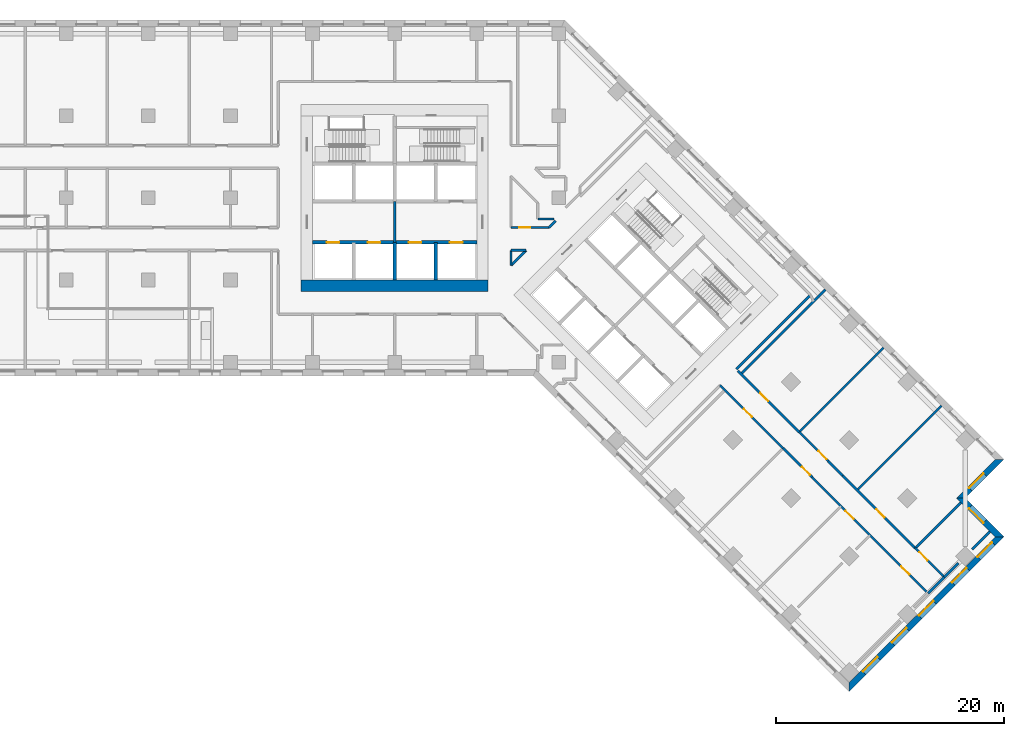
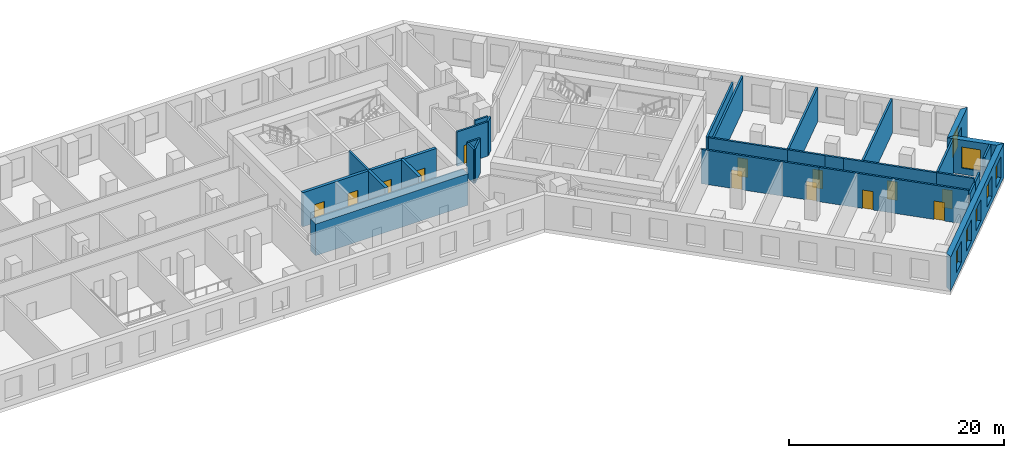
# One storey, part 7 of 12: 30 walls, 13 doors, 7 windows, 20 openings.
"""IFC4 building model written with IfcOpenShell, lengths in metres."""

from ifc_helpers import new_model, si_unit, direction, frame, frame_2d, origin, place, context, subcontext, project, spatial, polyline, rectangle, outline, extrude, material, layer, layer_set, type_object, element, fill, save


model = new_model("IFC4")

# Units and contexts
model_context = context("Model", 3, precision=1e-05, world=origin(), true_north=direction((0.0, 1.0)))
body_context = subcontext(model_context, "Body", "Model", "MODEL_VIEW")
ifc_project = project(units=[si_unit("LENGTHUNIT", "METRE"), si_unit("AREAUNIT", "SQUARE_METRE"), si_unit("VOLUMEUNIT", "CUBIC_METRE"), si_unit("PLANEANGLEUNIT", "RADIAN"), si_unit("MASSUNIT", "GRAM", prefix="KILO")], contexts=[model_context])

# Site, building, storey
site_placement = place(None, origin())
site = spatial("IfcSite", under=ifc_project, at=site_placement, CompositionType="ELEMENT")
building_placement = place(site_placement, origin())
building = spatial("IfcBuilding", under=site, at=building_placement, Name="Windrow Commons", CompositionType="ELEMENT")
storey_placement = place(building_placement, frame((0.0, 0.0, 22.8)))
storey = spatial("IfcBuildingStorey", under=building, at=storey_placement, Name="L05", CompositionType="ELEMENT", Elevation=22.8)

# Wall, openings, windows
ifc_material_1 = material(Name="Brick masonry, red clay brick", Category="masonry")
ifc_layer_1 = layer(ifc_material_1, 0.55)
ifc_layer_set_1 = layer_set([ifc_layer_1], Name="Brick facade wall 550")
wall_type_1 = type_object("IfcWallType", Name="Brick facade wall 550", PredefinedType="SOLIDWALL", material=ifc_layer_set_1)
wall_1_placement = place(storey_placement, frame((104.6558, 14.689, 0.0), z_axis=(0.0, 0.0, 1.0), x_axis=(0.7071094621, 0.7071041002, 0.0)))
wall_1 = element("IfcWall", 1, at=wall_1_placement, inside=storey, type_object=wall_type_1, Name="Brick facade wall L05 1", PredefinedType="SOLIDWALL", context=body_context, shape_type="SweptSolid", body=[
    extrude(outline(polyline([(-0.275, -0.275), (18.925, -0.275), (18.375, 0.275), (0.275, 0.275), (-0.275, -0.275)])), origin(), (0.0, 0.0, 1.0), 3.9),
])
opening_1_placement = place(wall_1_placement, frame((1.825, 0.0, 0.7)))
opening_1 = element("IfcOpeningElement", 2, at=opening_1_placement, cuts=wall_1, Name="Opening W2B", PredefinedType="OPENING", context=body_context, shape_type="SweptSolid", body=[
    extrude(rectangle(XDim=1.8, YDim=2.4, at=frame_2d((0.9, 1.2))), frame((0.0, 0.285, 0.0), z_axis=(0.0, -1.0, 0.0), x_axis=(1.0, 0.0, 0.0)), (0.0, 0.0, 1.0), 0.57),
])
opening_2_placement = place(wall_1_placement, frame((5.425, 0.0, 0.7)))
opening_2 = element("IfcOpeningElement", 3, at=opening_2_placement, cuts=wall_1, Name="Opening W2B", PredefinedType="OPENING", context=body_context, shape_type="SweptSolid", body=[
    extrude(rectangle(XDim=1.8, YDim=2.4, at=frame_2d((0.9, 1.2))), frame((0.0, 0.285, 0.0), z_axis=(0.0, -1.0, 0.0), x_axis=(1.0, 0.0, 0.0)), (0.0, 0.0, 1.0), 0.57),
])
opening_3_placement = place(wall_1_placement, frame((8.775, 0.0, 0.7)))
opening_3 = element("IfcOpeningElement", 4, at=opening_3_placement, cuts=wall_1, Name="Opening W2B", PredefinedType="OPENING", context=body_context, shape_type="SweptSolid", body=[
    extrude(rectangle(XDim=1.8, YDim=2.4, at=frame_2d((0.9, 1.2))), frame((0.0, 0.285, 0.0), z_axis=(0.0, -1.0, 0.0), x_axis=(1.0, 0.0, 0.0)), (0.0, 0.0, 1.0), 0.57),
])
opening_4_placement = place(wall_1_placement, frame((12.875, 0.0, 0.7)))
opening_4 = element("IfcOpeningElement", 5, at=opening_4_placement, cuts=wall_1, Name="Opening W2B", PredefinedType="OPENING", context=body_context, shape_type="SweptSolid", body=[
    extrude(rectangle(XDim=1.8, YDim=2.4, at=frame_2d((0.9, 1.2))), frame((0.0, 0.285, 0.0), z_axis=(0.0, -1.0, 0.0), x_axis=(1.0, 0.0, 0.0)), (0.0, 0.0, 1.0), 0.57),
])
opening_5_placement = place(wall_1_placement, frame((16.05, 0.0, 0.7)))
opening_5 = element("IfcOpeningElement", 6, at=opening_5_placement, cuts=wall_1, Name="Opening W2B", PredefinedType="OPENING", context=body_context, shape_type="SweptSolid", body=[
    extrude(rectangle(XDim=1.8, YDim=2.4, at=frame_2d((0.9, 1.2))), frame((0.0, 0.285, 0.0), z_axis=(0.0, -1.0, 0.0), x_axis=(1.0, 0.0, 0.0)), (0.0, 0.0, 1.0), 0.57),
])
ifc_material_2 = material(Name="Clear float glass in anodised aluminium frame", Category="aluminium")
window_type = type_object("IfcWindowType", Name="Window W2 podium 1800x2400", PartitioningType="SINGLE_PANEL", PredefinedType="WINDOW", material=ifc_material_2)
window_1_placement = place(opening_1_placement, origin())
window_1 = element("IfcWindow", 7, at=window_1_placement, inside=storey, type_object=window_type, Name="Window L05 1.1", OverallHeight=2.4, OverallWidth=1.8, PartitioningType="SINGLE_PANEL", PredefinedType="WINDOW", context=body_context, shape_type="SweptSolid", body=[
    extrude(rectangle(XDim=1.8, YDim=2.4, at=frame_2d((0.9, 1.2))), frame((0.0, 0.155, 0.0), z_axis=(0.0, -1.0, 0.0), x_axis=(1.0, 0.0, 0.0)), (0.0, 0.0, 1.0), 0.06),
])
fill(opening_1, window_1)
window_2_placement = place(opening_2_placement, origin())
window_2 = element("IfcWindow", 8, at=window_2_placement, inside=storey, type_object=window_type, Name="Window L05 1.2", OverallHeight=2.4, OverallWidth=1.8, PartitioningType="SINGLE_PANEL", PredefinedType="WINDOW", context=body_context, shape_type="SweptSolid", body=[
    extrude(rectangle(XDim=1.8, YDim=2.4, at=frame_2d((0.9, 1.2))), frame((0.0, 0.155, 0.0), z_axis=(0.0, -1.0, 0.0), x_axis=(1.0, 0.0, 0.0)), (0.0, 0.0, 1.0), 0.06),
])
fill(opening_2, window_2)
window_3_placement = place(opening_3_placement, origin())
window_3 = element("IfcWindow", 9, at=window_3_placement, inside=storey, type_object=window_type, Name="Window L05 1.3", OverallHeight=2.4, OverallWidth=1.8, PartitioningType="SINGLE_PANEL", PredefinedType="WINDOW", context=body_context, shape_type="SweptSolid", body=[
    extrude(rectangle(XDim=1.8, YDim=2.4, at=frame_2d((0.9, 1.2))), frame((0.0, 0.155, 0.0), z_axis=(0.0, -1.0, 0.0), x_axis=(1.0, 0.0, 0.0)), (0.0, 0.0, 1.0), 0.06),
])
fill(opening_3, window_3)
window_4_placement = place(opening_4_placement, origin())
window_4 = element("IfcWindow", 10, at=window_4_placement, inside=storey, type_object=window_type, Name="Window L05 1.4", OverallHeight=2.4, OverallWidth=1.8, PartitioningType="SINGLE_PANEL", PredefinedType="WINDOW", context=body_context, shape_type="SweptSolid", body=[
    extrude(rectangle(XDim=1.8, YDim=2.4, at=frame_2d((0.9, 1.2))), frame((0.0, 0.155, 0.0), z_axis=(0.0, -1.0, 0.0), x_axis=(1.0, 0.0, 0.0)), (0.0, 0.0, 1.0), 0.06),
])
fill(opening_4, window_4)
window_5_placement = place(opening_5_placement, origin())
window_5 = element("IfcWindow", 11, at=window_5_placement, inside=storey, type_object=window_type, Name="Window L05 1.5", OverallHeight=2.4, OverallWidth=1.8, PartitioningType="SINGLE_PANEL", PredefinedType="WINDOW", context=body_context, shape_type="SweptSolid", body=[
    extrude(rectangle(XDim=1.8, YDim=2.4, at=frame_2d((0.9, 1.2))), frame((0.0, 0.155, 0.0), z_axis=(0.0, -1.0, 0.0), x_axis=(1.0, 0.0, 0.0)), (0.0, 0.0, 1.0), 0.06),
])
fill(opening_5, window_5)

# Wall, opening, window
wall_2_placement = place(storey_placement, frame((117.8434, 27.8765, 0.0), z_axis=(0.0, 0.0, 1.0), x_axis=(-0.7071067812, 0.7071067812, 0.0)))
wall_2 = element("IfcWall", 12, at=wall_2_placement, inside=storey, type_object=wall_type_1, Name="Brick facade wall L05 2", PredefinedType="SOLIDWALL", context=body_context, shape_type="SweptSolid", body=[
    extrude(outline(polyline([(-0.275, -0.275), (4.525, -0.275), (5.075, 0.275), (0.275, 0.275), (-0.275, -0.275)])), origin(), (0.0, 0.0, 1.0), 3.9),
])
opening_6_placement = place(wall_2_placement, frame((1.8625, 0.0, 0.7)))
opening_6 = element("IfcOpeningElement", 13, at=opening_6_placement, cuts=wall_2, Name="Opening W2B", PredefinedType="OPENING", context=body_context, shape_type="SweptSolid", body=[
    extrude(rectangle(XDim=1.8, YDim=2.4, at=frame_2d((0.9, 1.2))), frame((0.0, 0.285, 0.0), z_axis=(0.0, -1.0, 0.0), x_axis=(1.0, 0.0, 0.0)), (0.0, 0.0, 1.0), 0.57),
])
window_6_placement = place(opening_6_placement, origin())
window_6 = element("IfcWindow", 14, at=window_6_placement, inside=storey, type_object=window_type, Name="Window L05 2.1", OverallHeight=2.4, OverallWidth=1.8, PartitioningType="SINGLE_PANEL", PredefinedType="WINDOW", context=body_context, shape_type="SweptSolid", body=[
    extrude(rectangle(XDim=1.8, YDim=2.4, at=frame_2d((0.9, 1.2))), frame((0.0, 0.155, 0.0), z_axis=(0.0, -1.0, 0.0), x_axis=(1.0, 0.0, 0.0)), (0.0, 0.0, 1.0), 0.06),
])
fill(opening_6, window_6)

wall_3_placement = place(storey_placement, frame((114.4493, 31.2706, 0.0), z_axis=(0.0, 0.0, 1.0), x_axis=(0.7070963646, 0.7071171977, 0.0)))
wall_3 = element("IfcWall", 15, at=wall_3_placement, inside=storey, type_object=wall_type_1, Name="Brick facade wall L05 3", PredefinedType="SOLIDWALL", context=body_context, shape_type="SweptSolid", body=[
    extrude(outline(polyline([(0.275, -0.275), (5.075, -0.275), (4.5251, 0.275), (-0.275, 0.275), (0.275, -0.275)])), origin(), (0.0, 0.0, 1.0), 3.9),
])
opening_7_placement = place(wall_3_placement, frame((1.1375, 0.0, 0.7)))
opening_7 = element("IfcOpeningElement", 16, at=opening_7_placement, cuts=wall_3, Name="Opening W2B", PredefinedType="OPENING", context=body_context, shape_type="SweptSolid", body=[
    extrude(rectangle(XDim=1.8, YDim=2.4, at=frame_2d((0.9, 1.2))), frame((0.0, 0.285, 0.0), z_axis=(0.0, -1.0, 0.0), x_axis=(1.0, 0.0, 0.0)), (0.0, 0.0, 1.0), 0.57),
])
window_7_placement = place(opening_7_placement, origin())
window_7 = element("IfcWindow", 17, at=window_7_placement, inside=storey, type_object=window_type, Name="Window L05 3.1", OverallHeight=2.4, OverallWidth=1.8, PartitioningType="SINGLE_PANEL", PredefinedType="WINDOW", context=body_context, shape_type="SweptSolid", body=[
    extrude(rectangle(XDim=1.8, YDim=2.4, at=frame_2d((0.9, 1.2))), frame((0.0, 0.155, 0.0), z_axis=(0.0, -1.0, 0.0), x_axis=(1.0, 0.0, 0.0)), (0.0, 0.0, 1.0), 0.06),
])
fill(opening_7, window_7)

# Wall
ifc_material_3 = material(Name="Blockwork partition", Category="masonry")
ifc_layer_2 = layer(ifc_material_3, 0.2)
ifc_layer_set_2 = layer_set([ifc_layer_2], Name="Fire lobby partition 200")
wall_type_2 = type_object("IfcWallType", Name="Fire lobby partition 200", PredefinedType="PARTITIONING", material=ifc_layer_set_2)
wall_4_placement = place(storey_placement, frame((64.8, 53.7, 0.0), z_axis=(0.0, 0.0, 1.0), x_axis=(0.0, 1.0, 0.0)))
element("IfcWall", 18, at=wall_4_placement, inside=storey, type_object=wall_type_2, Name="W-core-lobby-A-L05", PredefinedType="PARTITIONING", context=body_context, shape_type="SweptSolid", body=[
    extrude(rectangle(XDim=3.6, YDim=0.2, at=frame_2d((1.8, 0.0))), origin(), (0.0, 0.0, 1.0), 3.9),
])

# Wall, openings, doors
ifc_material_4 = material(Name="Blockwork partition", Category="masonry")
ifc_layer_3 = layer(ifc_material_4, 0.2)
ifc_layer_set_3 = layer_set([ifc_layer_3], Name="IW-CORRIDOR-200")
wall_type_3 = type_object("IfcWallType", Name="IW-CORRIDOR-200", PredefinedType="PARTITIONING", material=ifc_layer_set_3)
wall_5_placement = place(storey_placement, frame((111.5829, 22.9229, 0.0), z_axis=(0.0, 0.0, 1.0), x_axis=(-0.7070026136, 0.7072109334, 0.0)))
wall_5 = element("IfcWall", 19, at=wall_5_placement, inside=storey, type_object=wall_type_3, Name="W-L05-W006", PredefinedType="PARTITIONING", context=body_context, shape_type="SweptSolid", body=[
    extrude(rectangle(XDim=14.4009, YDim=0.2, at=frame_2d((7.2005, 0.0))), origin(), (0.0, 0.0, 1.0), 3.9),
])
opening_8_placement = place(wall_5_placement, frame((9.2334, 0.0, 0.0)))
opening_8 = element("IfcOpeningElement", 20, at=opening_8_placement, cuts=wall_5, Name="Opening D310F", PredefinedType="OPENING", context=body_context, shape_type="SweptSolid", body=[
    extrude(rectangle(XDim=1.0, YDim=2.1, at=frame_2d((0.5, 1.05))), frame((0.0, 0.11, 0.0), z_axis=(0.0, -1.0, 0.0), x_axis=(1.0, 0.0, 0.0)), (0.0, 0.0, 1.0), 0.22),
])
opening_9_placement = place(wall_5_placement, frame((2.3384, 0.0, 0.0)))
opening_9 = element("IfcOpeningElement", 21, at=opening_9_placement, cuts=wall_5, Name="Opening D310F", PredefinedType="OPENING", context=body_context, shape_type="SweptSolid", body=[
    extrude(rectangle(XDim=1.0, YDim=2.1, at=frame_2d((0.5, 1.05))), frame((0.0, 0.11, 0.0), z_axis=(0.0, -1.0, 0.0), x_axis=(1.0, 0.0, 0.0)), (0.0, 0.0, 1.0), 0.22),
])
ifc_material_5 = material(Name="Timber door leaf", Category="wood")
door_type_1 = type_object("IfcDoorType", Name="DT-AMENITY-1000", OperationType="SINGLE_SWING_LEFT", PredefinedType="DOOR", material=ifc_material_5)
door_1_placement = place(opening_8_placement, origin())
door_1 = element("IfcDoor", 22, at=door_1_placement, inside=storey, type_object=door_type_1, Name="D-L05-D039", OperationType="SINGLE_SWING_LEFT", OverallHeight=2.1, OverallWidth=1.0, PredefinedType="DOOR", context=body_context, shape_type="SweptSolid", body=[
    extrude(rectangle(XDim=1.0, YDim=2.1, at=frame_2d((0.5, 1.05))), frame((0.0, 0.025, 0.0), z_axis=(0.0, -1.0, 0.0), x_axis=(1.0, 0.0, 0.0)), (0.0, 0.0, 1.0), 0.05),
])
fill(opening_8, door_1)
door_2_placement = place(opening_9_placement, origin())
door_2 = element("IfcDoor", 23, at=door_2_placement, inside=storey, type_object=door_type_1, Name="D-L05-D040", OperationType="SINGLE_SWING_RIGHT", OverallHeight=2.1, OverallWidth=1.0, PredefinedType="DOOR", context=body_context, shape_type="SweptSolid", body=[
    extrude(rectangle(XDim=1.0, YDim=2.1, at=frame_2d((0.5, 1.05))), frame((0.0, 0.025, 0.0), z_axis=(0.0, -1.0, 0.0), x_axis=(1.0, 0.0, 0.0)), (0.0, 0.0, 1.0), 0.05),
])
fill(opening_9, door_2)

# Wall
wall_6_placement = place(storey_placement, frame((94.7572, 42.5868, 0.0), z_axis=(0.0, 0.0, 1.0), x_axis=(0.7071067812, 0.7071067812, 0.0)))
element("IfcWall", 24, at=wall_6_placement, inside=storey, type_object=wall_type_3, Name="W-L05-W031", PredefinedType="PARTITIONING", context=body_context, shape_type="SweptSolid", body=[
    extrude(rectangle(XDim=9.198, YDim=0.2, at=frame_2d((4.599, 0.0))), origin(), (0.0, 0.0, 1.0), 3.9),
])

# Wall, opening, door
wall_7_placement = place(storey_placement, frame((104.0871, 33.2471, 0.0), z_axis=(0.0, 0.0, 1.0), x_axis=(0.7071067812, -0.7071067812, 0.0)))
wall_7 = element("IfcWall", 25, at=wall_7_placement, inside=storey, type_object=wall_type_3, Name="W-L05-W032", PredefinedType="PARTITIONING", context=body_context, shape_type="SweptSolid", body=[
    extrude(rectangle(XDim=9.0001, YDim=0.2, at=frame_2d((4.5, 0.0))), origin(), (0.0, 0.0, 1.0), 3.9),
])
opening_10_placement = place(wall_7_placement, frame((4.1735, 0.0, 0.0)))
opening_10 = element("IfcOpeningElement", 26, at=opening_10_placement, cuts=wall_7, Name="Opening D310F", PredefinedType="OPENING", context=body_context, shape_type="SweptSolid", body=[
    extrude(rectangle(XDim=1.0, YDim=2.1, at=frame_2d((0.5, 1.05))), frame((0.0, 0.11, 0.0), z_axis=(0.0, -1.0, 0.0), x_axis=(1.0, 0.0, 0.0)), (0.0, 0.0, 1.0), 0.22),
])
door_3_placement = place(opening_10_placement, origin())
door_3 = element("IfcDoor", 27, at=door_3_placement, inside=storey, type_object=door_type_1, Name="D-L05-D035", OperationType="SINGLE_SWING_RIGHT", OverallHeight=2.1, OverallWidth=1.0, PredefinedType="DOOR", context=body_context, shape_type="SweptSolid", body=[
    extrude(rectangle(XDim=1.0, YDim=2.1, at=frame_2d((0.5, 1.05))), frame((0.0, 0.025, 0.0), z_axis=(0.0, -1.0, 0.0), x_axis=(1.0, 0.0, 0.0)), (0.0, 0.0, 1.0), 0.05),
])
fill(opening_10, door_3)

wall_8_placement = place(storey_placement, frame((93.3389, 41.1669, 0.0), z_axis=(0.0, 0.0, 1.0), x_axis=(0.7071067812, -0.7071067812, 0.0)))
wall_8 = element("IfcWall", 28, at=wall_8_placement, inside=storey, type_object=wall_type_3, Name="W-L05-W035", PredefinedType="PARTITIONING", context=body_context, shape_type="SweptSolid", body=[
    extrude(rectangle(XDim=7.8008, YDim=0.2, at=frame_2d((3.9004, 0.0))), origin(), (0.0, 0.0, 1.0), 3.9),
])
opening_11_placement = place(wall_8_placement, frame((2.9375, 0.0, 0.0)))
opening_11 = element("IfcOpeningElement", 29, at=opening_11_placement, cuts=wall_8, Name="Opening D310F", PredefinedType="OPENING", context=body_context, shape_type="SweptSolid", body=[
    extrude(rectangle(XDim=1.0, YDim=2.1, at=frame_2d((0.5, 1.05))), frame((0.0, 0.11, 0.0), z_axis=(0.0, -1.0, 0.0), x_axis=(1.0, 0.0, 0.0)), (0.0, 0.0, 1.0), 0.22),
])
door_4_placement = place(opening_11_placement, origin())
door_4 = element("IfcDoor", 30, at=door_4_placement, inside=storey, type_object=door_type_1, Name="D-L05-D037", OperationType="SINGLE_SWING_LEFT", OverallHeight=2.1, OverallWidth=1.0, PredefinedType="DOOR", context=body_context, shape_type="SweptSolid", body=[
    extrude(rectangle(XDim=1.0, YDim=2.1, at=frame_2d((0.5, 1.05))), frame((0.0, 0.025, 0.0), z_axis=(0.0, -1.0, 0.0), x_axis=(1.0, 0.0, 0.0)), (0.0, 0.0, 1.0), 0.05),
])
fill(opening_11, door_4)

wall_9_placement = place(storey_placement, frame((94.8951, 42.4391, 0.0), z_axis=(0.0, 0.0, 1.0), x_axis=(0.7071067812, -0.7071067812, 0.0)))
wall_9 = element("IfcWall", 31, at=wall_9_placement, inside=storey, type_object=wall_type_3, Name="W-L05-W036", PredefinedType="PARTITIONING", context=body_context, shape_type="SweptSolid", body=[
    extrude(rectangle(XDim=7.6, YDim=0.2, at=frame_2d((3.8, 0.0))), origin(), (0.0, 0.0, 1.0), 3.9),
])
opening_12_placement = place(wall_9_placement, frame((2.7729, 0.0, 0.0)))
opening_12 = element("IfcOpeningElement", 32, at=opening_12_placement, cuts=wall_9, Name="Opening D310F", PredefinedType="OPENING", context=body_context, shape_type="SweptSolid", body=[
    extrude(rectangle(XDim=1.0, YDim=2.1, at=frame_2d((0.5, 1.05))), frame((0.0, 0.11, 0.0), z_axis=(0.0, -1.0, 0.0), x_axis=(1.0, 0.0, 0.0)), (0.0, 0.0, 1.0), 0.22),
])
door_5_placement = place(opening_12_placement, origin())
door_5 = element("IfcDoor", 33, at=door_5_placement, inside=storey, type_object=door_type_1, Name="D-L05-D033", OperationType="SINGLE_SWING_RIGHT", OverallHeight=2.1, OverallWidth=1.0, PredefinedType="DOOR", context=body_context, shape_type="SweptSolid", body=[
    extrude(rectangle(XDim=1.0, YDim=2.1, at=frame_2d((0.5, 1.05))), frame((0.0, 0.025, 0.0), z_axis=(0.0, -1.0, 0.0), x_axis=(1.0, 0.0, 0.0)), (0.0, 0.0, 1.0), 0.05),
])
fill(opening_12, door_5)

wall_10_placement = place(storey_placement, frame((98.8603, 35.6563, 0.0), z_axis=(0.0, 0.0, 1.0), x_axis=(0.7073845681, -0.7068288851, 0.0)))
wall_10 = element("IfcWall", 34, at=wall_10_placement, inside=storey, type_object=wall_type_3, Name="W-L05-W063", PredefinedType="PARTITIONING", context=body_context, shape_type="SweptSolid", body=[
    extrude(rectangle(XDim=3.5992, YDim=0.2, at=frame_2d((1.7996, 0.0))), origin(), (0.0, 0.0, 1.0), 3.9),
])
opening_13_placement = place(wall_10_placement, frame((2.3367, 0.0, 0.0)))
opening_13 = element("IfcOpeningElement", 35, at=opening_13_placement, cuts=wall_10, Name="Opening D310F", PredefinedType="OPENING", context=body_context, shape_type="SweptSolid", body=[
    extrude(rectangle(XDim=1.0, YDim=2.1, at=frame_2d((0.5, 1.05))), frame((0.0, 0.11, 0.0), z_axis=(0.0, -1.0, 0.0), x_axis=(1.0, 0.0, 0.0)), (0.0, 0.0, 1.0), 0.22),
])
door_6_placement = place(opening_13_placement, origin())
door_6 = element("IfcDoor", 36, at=door_6_placement, inside=storey, type_object=door_type_1, Name="D-L05-D038", OperationType="SINGLE_SWING_LEFT", OverallHeight=2.1, OverallWidth=1.0, PredefinedType="DOOR", context=body_context, shape_type="SweptSolid", body=[
    extrude(rectangle(XDim=1.0, YDim=2.1, at=frame_2d((0.5, 1.05))), frame((0.0, 0.025, 0.0), z_axis=(0.0, -1.0, 0.0), x_axis=(1.0, 0.0, 0.0)), (0.0, 0.0, 1.0), 0.05),
])
fill(opening_13, door_6)

wall_11_placement = place(storey_placement, frame((110.4534, 26.8854, 0.0), z_axis=(0.0, 0.0, 1.0), x_axis=(0.7073845681, -0.7068288851, 0.0)))
wall_11 = element("IfcWall", 37, at=wall_11_placement, inside=storey, type_object=wall_type_3, Name="W-L05-W064", PredefinedType="PARTITIONING", context=body_context, shape_type="SweptSolid", body=[
    extrude(rectangle(XDim=3.5992, YDim=0.2, at=frame_2d((1.7996, 0.0))), origin(), (0.0, 0.0, 1.0), 3.9),
])
opening_14_placement = place(wall_11_placement, frame((0.5072, 0.0, 0.0)))
opening_14 = element("IfcOpeningElement", 38, at=opening_14_placement, cuts=wall_11, Name="Opening D310F", PredefinedType="OPENING", context=body_context, shape_type="SweptSolid", body=[
    extrude(rectangle(XDim=1.0, YDim=2.1, at=frame_2d((0.5, 1.05))), frame((0.0, 0.11, 0.0), z_axis=(0.0, -1.0, 0.0), x_axis=(1.0, 0.0, 0.0)), (0.0, 0.0, 1.0), 0.22),
])
door_7_placement = place(opening_14_placement, origin())
door_7 = element("IfcDoor", 39, at=door_7_placement, inside=storey, type_object=door_type_1, Name="D-L05-D041", OperationType="SINGLE_SWING_RIGHT", OverallHeight=2.1, OverallWidth=1.0, PredefinedType="DOOR", context=body_context, shape_type="SweptSolid", body=[
    extrude(rectangle(XDim=1.0, YDim=2.1, at=frame_2d((0.5, 1.05))), frame((0.0, 0.025, 0.0), z_axis=(0.0, -1.0, 0.0), x_axis=(1.0, 0.0, 0.0)), (0.0, 0.0, 1.0), 0.05),
])
fill(opening_14, door_7)

wall_12_placement = place(storey_placement, frame((100.2745, 37.0705, 0.0), z_axis=(0.0, 0.0, 1.0), x_axis=(0.7073845681, -0.7068288851, 0.0)))
wall_12 = element("IfcWall", 40, at=wall_12_placement, inside=storey, type_object=wall_type_3, Name="W-L05-W065", PredefinedType="PARTITIONING", context=body_context, shape_type="SweptSolid", body=[
    extrude(rectangle(XDim=3.5992, YDim=0.2, at=frame_2d((1.7996, 0.0))), origin(), (0.0, 0.0, 1.0), 3.9),
])
opening_15_placement = place(wall_12_placement, frame((2.3729, 0.0, 0.0)))
opening_15 = element("IfcOpeningElement", 41, at=opening_15_placement, cuts=wall_12, Name="Opening D310F", PredefinedType="OPENING", context=body_context, shape_type="SweptSolid", body=[
    extrude(rectangle(XDim=1.0, YDim=2.1, at=frame_2d((0.5, 1.05))), frame((0.0, 0.11, 0.0), z_axis=(0.0, -1.0, 0.0), x_axis=(1.0, 0.0, 0.0)), (0.0, 0.0, 1.0), 0.22),
])
door_8_placement = place(opening_15_placement, origin())
door_8 = element("IfcDoor", 42, at=door_8_placement, inside=storey, type_object=door_type_1, Name="D-L05-D034", OperationType="SINGLE_SWING_RIGHT", OverallHeight=2.1, OverallWidth=1.0, PredefinedType="DOOR", context=body_context, shape_type="SweptSolid", body=[
    extrude(rectangle(XDim=1.0, YDim=2.1, at=frame_2d((0.5, 1.05))), frame((0.0, 0.025, 0.0), z_axis=(0.0, -1.0, 0.0), x_axis=(1.0, 0.0, 0.0)), (0.0, 0.0, 1.0), 0.05),
])
fill(opening_15, door_8)

wall_13_placement = place(storey_placement, frame((75.002, 55.0, 0.0), z_axis=(0.0, 0.0, 1.0), x_axis=(1.0, 0.0, 0.0)))
wall_13 = element("IfcWall", 43, at=wall_13_placement, inside=storey, type_object=wall_type_3, Name="W-L05-W068", PredefinedType="PARTITIONING", context=body_context, shape_type="SweptSolid", body=[
    extrude(rectangle(XDim=3.32, YDim=0.2, at=frame_2d((1.66, 0.0))), origin(), (0.0, 0.0, 1.0), 3.9),
])
opening_16_placement = place(wall_13_placement, frame((0.7019, 0.0, 0.0)))
opening_16 = element("IfcOpeningElement", 44, at=opening_16_placement, cuts=wall_13, Name="Opening D410F", PredefinedType="OPENING", context=body_context, shape_type="SweptSolid", body=[
    extrude(rectangle(XDim=1.0, YDim=2.1, at=frame_2d((0.5, 1.05))), frame((0.0, 0.11, 0.0), z_axis=(0.0, -1.0, 0.0), x_axis=(1.0, 0.0, 0.0)), (0.0, 0.0, 1.0), 0.22),
])
ifc_material_6 = material(Name="Timber door leaf", Category="wood")
door_type_2 = type_object("IfcDoorType", Name="DT-SERVICE-1000", OperationType="SINGLE_SWING_LEFT", PredefinedType="DOOR", material=ifc_material_6)
door_9_placement = place(opening_16_placement, origin())
door_9 = element("IfcDoor", 45, at=door_9_placement, inside=storey, type_object=door_type_2, Name="D-L05-D011", OperationType="SINGLE_SWING_LEFT", OverallHeight=2.1, OverallWidth=1.0, PredefinedType="DOOR", context=body_context, shape_type="SweptSolid", body=[
    extrude(rectangle(XDim=1.0, YDim=2.1, at=frame_2d((0.5, 1.05))), frame((0.0, 0.025, 0.0), z_axis=(0.0, -1.0, 0.0), x_axis=(1.0, 0.0, 0.0)), (0.0, 0.0, 1.0), 0.05),
])
fill(opening_16, door_9)

# Walls
wall_14_placement = place(storey_placement, frame((111.5845, 22.9275, 0.0), z_axis=(0.0, 0.0, 1.0), x_axis=(0.7071067812, 0.7071067812, 0.0)))
element("IfcWall", 46, at=wall_14_placement, inside=storey, type_object=wall_type_3, Name="W-L05-W084", PredefinedType="PARTITIONING", context=body_context, shape_type="SweptSolid", body=[
    extrude(rectangle(XDim=1.9997, YDim=0.2, at=frame_2d((0.9999, 0.0))), origin(), (0.0, 0.0, 1.0), 3.4),
])
wall_15_placement = place(storey_placement, frame((75.0012, 51.6808, 0.0), z_axis=(0.0, 0.0, 1.0), x_axis=(0.7071067812, 0.7071067812, 0.0)))
element("IfcWall", 47, at=wall_15_placement, inside=storey, type_object=wall_type_3, Name="W-L05-W088", PredefinedType="PARTITIONING", context=body_context, shape_type="SweptSolid", body=[
    extrude(rectangle(XDim=1.8639, YDim=0.2, at=frame_2d((0.9319, 0.0))), origin(), (0.0, 0.0, 1.0), 3.9),
])
wall_16_placement = place(storey_placement, frame((102.8156, 34.5216, 0.0), z_axis=(0.0, 0.0, 1.0), x_axis=(0.7065510983, -0.7076620277, 0.0)))
element("IfcWall", 48, at=wall_16_placement, inside=storey, type_object=wall_type_3, Name="W-L05-W091", PredefinedType="PARTITIONING", context=body_context, shape_type="SweptSolid", body=[
    extrude(rectangle(XDim=1.8003, YDim=0.2, at=frame_2d((0.9002, 0.0))), origin(), (0.0, 0.0, 1.0), 3.9),
])
wall_17_placement = place(storey_placement, frame((77.352, 55.75, 0.0), z_axis=(0.0, 0.0, 1.0), x_axis=(1.0, 0.0, 0.0)))
element("IfcWall", 49, at=wall_17_placement, inside=storey, type_object=wall_type_3, Name="W-L05-W097", PredefinedType="PARTITIONING", context=body_context, shape_type="SweptSolid", body=[
    extrude(rectangle(XDim=1.41, YDim=0.2, at=frame_2d((0.705, 0.0))), origin(), (0.0, 0.0, 1.0), 3.9),
])
wall_18_placement = place(storey_placement, frame((75.0, 51.68, 0.0), z_axis=(0.0, 0.0, 1.0), x_axis=(0.0, 1.0, 0.0)))
element("IfcWall", 50, at=wall_18_placement, inside=storey, type_object=wall_type_3, Name="W-L05-W099", PredefinedType="PARTITIONING", context=body_context, shape_type="SweptSolid", body=[
    extrude(rectangle(XDim=1.32, YDim=0.2, at=frame_2d((0.66, 0.0))), origin(), (0.0, 0.0, 1.0), 3.9),
])
wall_19_placement = place(storey_placement, frame((75.002, 53.0, 0.0), z_axis=(0.0, 0.0, 1.0), x_axis=(1.0, 0.0, 0.0)))
element("IfcWall", 51, at=wall_19_placement, inside=storey, type_object=wall_type_3, Name="W-L05-W100", PredefinedType="PARTITIONING", context=body_context, shape_type="SweptSolid", body=[
    extrude(rectangle(XDim=1.318, YDim=0.2, at=frame_2d((0.659, 0.0))), origin(), (0.0, 0.0, 1.0), 3.9),
])
wall_20_placement = place(storey_placement, frame((78.3212, 55.0008, 0.0), z_axis=(0.0, 0.0, 1.0), x_axis=(0.7071067812, 0.7071067812, 0.0)))
element("IfcWall", 52, at=wall_20_placement, inside=storey, type_object=wall_type_3, Name="W-L05-W107", PredefinedType="PARTITIONING", context=body_context, shape_type="SweptSolid", body=[
    extrude(rectangle(XDim=0.84, YDim=0.2, at=frame_2d((0.42, 0.0))), origin(), (0.0, 0.0, 1.0), 3.9),
])
ifc_material_7 = material(Name="Blockwork partition", Category="masonry")
ifc_layer_4 = layer(ifc_material_7, 0.2)
ifc_layer_set_4 = layer_set([ifc_layer_4], Name="IW-PARTY-200")
wall_type_4 = type_object("IfcWallType", Name="IW-PARTY-200", PredefinedType="PARTITIONING", material=ifc_layer_set_4)
for number, where, z_axis, x_axis, name in (
    (53, (105.3618, 31.9782, 0.0), (0.0, 0.0, 1.0), (0.7071019967, 0.7071115656, 0.0), "W-L05-W007"),
    (54, (95.1794, 42.1606, 0.0), (0.0, 0.0, 1.0), (0.7071115656, 0.7071019967, 0.0), "W-L05-W008"),
    (55, (100.2706, 37.0694, 0.0), (0.0, 0.0, 1.0), (0.7071067812, 0.7071067812, 0.0), "W-L05-W009"),
):
    element("IfcWall", number, at=place(storey_placement, frame(where, z_axis=z_axis, x_axis=x_axis)), inside=storey, type_object=wall_type_4, Name=name, PredefinedType="PARTITIONING", context=body_context, shape_type="SweptSolid", body=[
        extrude(rectangle(XDim=10.4505, YDim=0.2, at=frame_2d((5.2252, 0.0))), origin(), (0.0, 0.0, 1.0), 3.9),
    ])
wall_21_placement = place(storey_placement, frame((110.4529, 26.8871, 0.0), z_axis=(0.0, 0.0, 1.0), x_axis=(0.7071067812, 0.7071067812, 0.0)))
element("IfcWall", 56, at=wall_21_placement, inside=storey, type_object=wall_type_4, Name="W-L05-W043", PredefinedType="PARTITIONING", context=body_context, shape_type="SweptSolid", body=[
    extrude(rectangle(XDim=5.6505, YDim=0.2, at=frame_2d((2.8253, 0.0))), origin(), (0.0, 0.0, 1.0), 3.9),
])
wall_22_placement = place(storey_placement, frame((115.4375, 26.7805, 0.0), z_axis=(0.0, 0.0, 1.0), x_axis=(0.7071067812, 0.7071067812, 0.0)))
element("IfcWall", 57, at=wall_22_placement, inside=storey, type_object=wall_type_4, Name="W-L05-W073", PredefinedType="PARTITIONING", context=body_context, shape_type="SweptSolid", body=[
    extrude(rectangle(XDim=2.2012, YDim=0.2, at=frame_2d((1.1006, 0.0))), origin(), (0.0, 0.0, 1.0), 3.9),
])
wall_23_placement = place(storey_placement, frame((112.9995, 24.3425, 0.0), z_axis=(0.0, 0.0, 1.0), x_axis=(0.7071067812, 0.7071067812, 0.0)))
element("IfcWall", 58, at=wall_23_placement, inside=storey, type_object=wall_type_4, Name="W-L05-W095", PredefinedType="PARTITIONING", context=body_context, shape_type="SweptSolid", body=[
    extrude(rectangle(XDim=1.7508, YDim=0.2, at=frame_2d((0.8754, 0.0))), origin(), (0.0, 0.0, 1.0), 3.4),
])
ifc_material_8 = material(Name="Concrete C60/75", Category="concrete")
ifc_layer_5 = layer(ifc_material_8, 1.0)
ifc_layer_set_5 = layer_set([ifc_layer_5], Name="RC CORE WALL 1000 C60/75")
wall_type_5 = type_object("IfcWallType", Name="RC CORE WALL 1000 C60/75", PredefinedType="SHEAR", material=ifc_layer_set_5)
wall_24_placement = place(storey_placement, frame((56.6, 49.9, -0.4), z_axis=(0.0, 0.0, 1.0), x_axis=(1.0, 0.0, 0.0)))
element("IfcWall", 59, at=wall_24_placement, inside=storey, type_object=wall_type_5, Name="Core A wall outer-S", PredefinedType="SHEAR", context=body_context, shape_type="SweptSolid", body=[
    extrude(rectangle(XDim=16.4, YDim=1.0, at=frame_2d((8.2, 0.0))), origin(), (0.0, 0.0, 1.0), 3.6),
])
ifc_material_9 = material(Name="Concrete C60/75", Category="concrete")
ifc_layer_6 = layer(ifc_material_9, 0.3)
ifc_layer_set_6 = layer_set([ifc_layer_6], Name="RC SHAFT WALL 300 C60/75")
wall_type_6 = type_object("IfcWallType", Name="RC SHAFT WALL 300 C60/75", PredefinedType="SOLIDWALL", material=ifc_layer_set_6)
for number, where, z_axis, x_axis, name in (
    (60, (64.8, 50.4, 0.0), (0.0, 0.0, 1.0), (0.0, 1.0, 0.0), "Core A wall shaft-S2"),
    (61, (68.4, 50.4, 0.0), (0.0, 0.0, 1.0), (0.0, 1.0, 0.0), "Core A wall shaft-S3"),
):
    element("IfcWall", number, at=place(storey_placement, frame(where, z_axis=z_axis, x_axis=x_axis)), inside=storey, type_object=wall_type_6, Name=name, PredefinedType="SOLIDWALL", context=body_context, shape_type="SweptSolid", body=[
        extrude(rectangle(XDim=3.3, YDim=0.3, at=frame_2d((1.65, 0.0))), origin(), (0.0, 0.0, 1.0), 3.9),
    ])

# Wall, openings, doors
wall_25_placement = place(storey_placement, frame((57.6, 53.7, 0.0), z_axis=(0.0, 0.0, 1.0), x_axis=(1.0, 0.0, 0.0)))
wall_25 = element("IfcWall", 62, at=wall_25_placement, inside=storey, type_object=wall_type_6, Name="Core A wall lobby-S", PredefinedType="SOLIDWALL", context=body_context, shape_type="SweptSolid", body=[
    extrude(rectangle(XDim=14.4, YDim=0.3, at=frame_2d((7.2, 0.0))), origin(), (0.0, 0.0, 1.0), 3.9),
])
opening_17_placement = place(wall_25_placement, frame((1.25, 0.0, 0.0)))
opening_17 = element("IfcOpeningElement", 63, at=opening_17_placement, cuts=wall_25, Name="Opening LD", PredefinedType="OPENING", context=body_context, shape_type="SweptSolid", body=[
    extrude(rectangle(XDim=1.1, YDim=2.1, at=frame_2d((0.55, 1.05))), frame((0.0, 0.16, 0.0), z_axis=(0.0, -1.0, 0.0), x_axis=(1.0, 0.0, 0.0)), (0.0, 0.0, 1.0), 0.32),
])
opening_18_placement = place(wall_25_placement, frame((4.85, 0.0, 0.0)))
opening_18 = element("IfcOpeningElement", 64, at=opening_18_placement, cuts=wall_25, Name="Opening LD", PredefinedType="OPENING", context=body_context, shape_type="SweptSolid", body=[
    extrude(rectangle(XDim=1.1, YDim=2.1, at=frame_2d((0.55, 1.05))), frame((0.0, 0.16, 0.0), z_axis=(0.0, -1.0, 0.0), x_axis=(1.0, 0.0, 0.0)), (0.0, 0.0, 1.0), 0.32),
])
opening_19_placement = place(wall_25_placement, frame((8.45, 0.0, 0.0)))
opening_19 = element("IfcOpeningElement", 65, at=opening_19_placement, cuts=wall_25, Name="Opening LD", PredefinedType="OPENING", context=body_context, shape_type="SweptSolid", body=[
    extrude(rectangle(XDim=1.1, YDim=2.1, at=frame_2d((0.55, 1.05))), frame((0.0, 0.16, 0.0), z_axis=(0.0, -1.0, 0.0), x_axis=(1.0, 0.0, 0.0)), (0.0, 0.0, 1.0), 0.32),
])
opening_20_placement = place(wall_25_placement, frame((12.05, 0.0, 0.0)))
opening_20 = element("IfcOpeningElement", 66, at=opening_20_placement, cuts=wall_25, Name="Opening LD", PredefinedType="OPENING", context=body_context, shape_type="SweptSolid", body=[
    extrude(rectangle(XDim=1.1, YDim=2.1, at=frame_2d((0.55, 1.05))), frame((0.0, 0.16, 0.0), z_axis=(0.0, -1.0, 0.0), x_axis=(1.0, 0.0, 0.0)), (0.0, 0.0, 1.0), 0.32),
])
ifc_material_10 = material(Name="Stainless steel door leaf", Category="steel")
door_type_3 = type_object("IfcDoorType", Name="Lift landing door 1100", OperationType="SLIDING_TO_LEFT", PredefinedType="DOOR", material=ifc_material_10)
door_10_placement = place(opening_17_placement, origin())
door_10 = element("IfcDoor", 67, at=door_10_placement, inside=storey, type_object=door_type_3, Name="Lift landing door", OperationType="SLIDING_TO_LEFT", OverallHeight=2.1, OverallWidth=1.1, PredefinedType="DOOR", context=body_context, shape_type="SweptSolid", body=[
    extrude(rectangle(XDim=1.1, YDim=2.1, at=frame_2d((0.55, 1.05))), frame((0.0, 0.025, 0.0), z_axis=(0.0, -1.0, 0.0), x_axis=(1.0, 0.0, 0.0)), (0.0, 0.0, 1.0), 0.05),
])
fill(opening_17, door_10)
door_11_placement = place(opening_18_placement, origin())
door_11 = element("IfcDoor", 68, at=door_11_placement, inside=storey, type_object=door_type_3, Name="Lift landing door", OperationType="SLIDING_TO_RIGHT", OverallHeight=2.1, OverallWidth=1.1, PredefinedType="DOOR", context=body_context, shape_type="SweptSolid", body=[
    extrude(rectangle(XDim=1.1, YDim=2.1, at=frame_2d((0.55, 1.05))), frame((0.0, 0.025, 0.0), z_axis=(0.0, -1.0, 0.0), x_axis=(1.0, 0.0, 0.0)), (0.0, 0.0, 1.0), 0.05),
])
fill(opening_18, door_11)
door_12_placement = place(opening_19_placement, origin())
door_12 = element("IfcDoor", 69, at=door_12_placement, inside=storey, type_object=door_type_3, Name="Lift landing door", OperationType="SLIDING_TO_LEFT", OverallHeight=2.1, OverallWidth=1.1, PredefinedType="DOOR", context=body_context, shape_type="SweptSolid", body=[
    extrude(rectangle(XDim=1.1, YDim=2.1, at=frame_2d((0.55, 1.05))), frame((0.0, 0.025, 0.0), z_axis=(0.0, -1.0, 0.0), x_axis=(1.0, 0.0, 0.0)), (0.0, 0.0, 1.0), 0.05),
])
fill(opening_19, door_12)
door_13_placement = place(opening_20_placement, origin())
door_13 = element("IfcDoor", 70, at=door_13_placement, inside=storey, type_object=door_type_3, Name="Lift landing door", OperationType="SLIDING_TO_RIGHT", OverallHeight=2.1, OverallWidth=1.1, PredefinedType="DOOR", context=body_context, shape_type="SweptSolid", body=[
    extrude(rectangle(XDim=1.1, YDim=2.1, at=frame_2d((0.55, 1.05))), frame((0.0, 0.025, 0.0), z_axis=(0.0, -1.0, 0.0), x_axis=(1.0, 0.0, 0.0)), (0.0, 0.0, 1.0), 0.05),
])
fill(opening_20, door_13)

save(model, "model.ifc")
